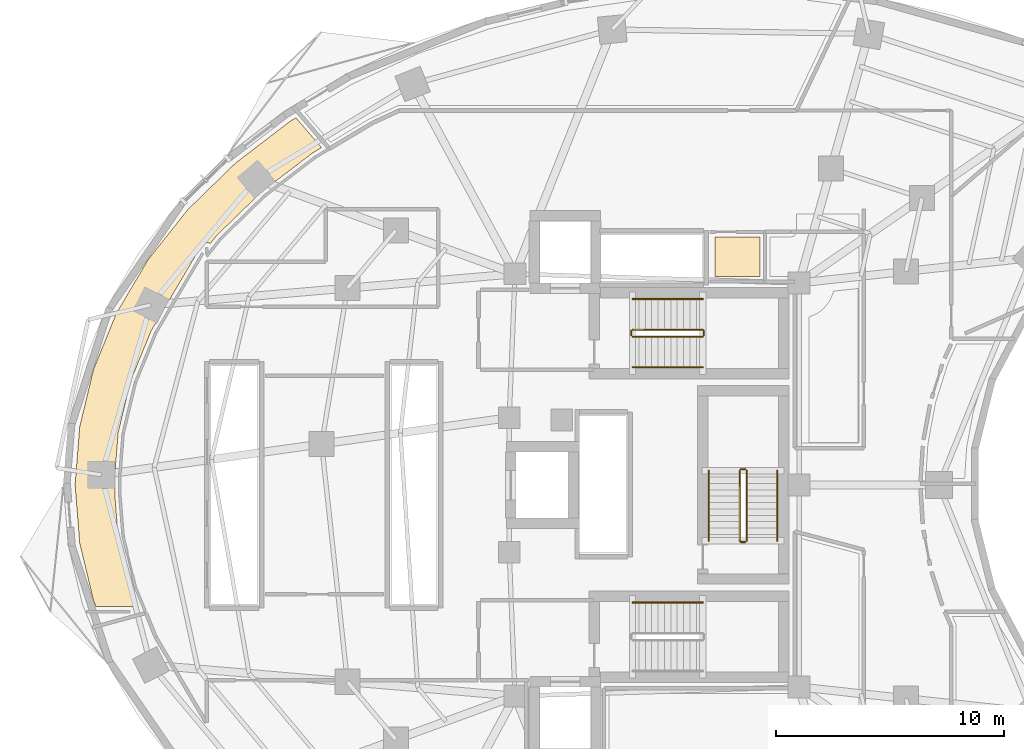
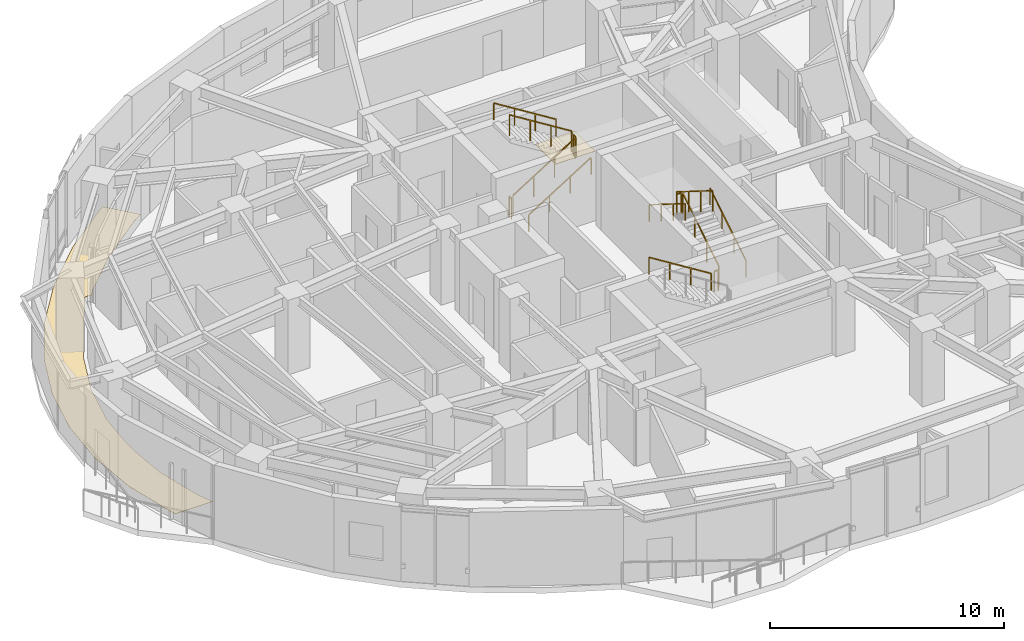
# One storey, part 12 of 13: 13 railings, 2 coverings.
"""IFC4 building model written with IfcOpenShell, lengths in metres."""

import ifcopenshell
import ifcopenshell.guid

model = None  # the IFC model being written
_history = None  # IfcOwnerHistory: only IFC2X3 demands one
_inside = {}  # id of a spatial element -> (the spatial element, [elements in it])
_under = {}  # id of a project, library or spatial element -> (it, [spatial elements below it])
_declared = {}  # id of a project -> (the project, [libraries it declares])
_typed = {}  # id of a type object -> (the type object, [elements of that type])
_made_of = {}  # id of a material, layer set ... -> (it, [elements and type objects made of it])


def new_model(schema):
    """Start an empty IFC model of exactly this schema.

    Asked for "IFC4X3", IfcOpenShell would pick the latest addendum, in which some entities
    have other attributes; the version numbers below select the first issue.
    IFC2X3 requires an IfcOwnerHistory on every rooted entity: one is made here for all.
    """
    global model, _history
    if schema == "IFC4X3":
        model = ifcopenshell.file(schema_version=(4, 3, 0, 0))
    else:
        model = ifcopenshell.file(schema=schema)
    _inside.clear()
    _under.clear()
    _declared.clear()
    _typed.clear()
    _made_of.clear()
    _history = None
    if model.schema == "IFC2X3":
        org = make("IfcOrganization", Name="unknown")
        user = make(
            "IfcPersonAndOrganization",
            ThePerson=make("IfcPerson", FamilyName="unknown"),
            TheOrganization=org,
        )
        app = make(
            "IfcApplication",
            ApplicationDeveloper=org,
            Version="unknown",
            ApplicationFullName="unknown",
            ApplicationIdentifier="unknown",
        )
        _history = make(
            "IfcOwnerHistory",
            OwningUser=user,
            OwningApplication=app,
            ChangeAction="ADDED",
            CreationDate=0,
        )
    return model


def make(cls, **values):
    """One entity of the class cls with the attributes given. An attribute that is None is left unset."""
    return model.create_entity(
        cls, **{name: value for name, value in values.items() if value is not None}
    )


def rooted(cls, **values):
    """An entity with a GlobalId (a new one), such as an element, a storey or a relation."""
    return make(cls, GlobalId=ifcopenshell.guid.new(), OwnerHistory=_history, **values)


def si_unit(unit_type, name, prefix=None):
    """IfcSIUnit, for example si_unit("LENGTHUNIT", "METRE", prefix="MILLI")."""
    return make("IfcSIUnit", UnitType=unit_type, Prefix=prefix, Name=name)


def assignment(units):
    """IfcUnitAssignment: the units of a project."""
    return None if units is None else make("IfcUnitAssignment", Units=units)


def point(xyz):
    """IfcCartesianPoint."""
    return None if xyz is None else make("IfcCartesianPoint", Coordinates=xyz)


def direction(xyz):
    """IfcDirection."""
    return None if xyz is None else make("IfcDirection", DirectionRatios=xyz)


def frame(location, z_axis=None, x_axis=None):
    """IfcAxis2Placement3D, a coordinate frame: its origin and axes. An axis left out is left unset."""
    return make(
        "IfcAxis2Placement3D",
        Location=point(location),
        Axis=direction(z_axis),
        RefDirection=direction(x_axis),
    )


def frame_2d(location, x_axis=None):
    """IfcAxis2Placement2D, a coordinate frame in the plane: its origin and x axis."""
    return make(
        "IfcAxis2Placement2D", Location=point(location), RefDirection=direction(x_axis)
    )


def origin():
    """The frame at (0, 0, 0) with its axes left unset."""
    return frame((0.0, 0.0, 0.0))


def origin_2d():
    """The frame at (0, 0) in the plane with its x axis left unset."""
    return frame_2d((0.0, 0.0))


def place(relative_to, where):
    """IfcLocalPlacement: puts the frame where relative to a parent placement (None: the world)."""
    return make(
        "IfcLocalPlacement", PlacementRelTo=relative_to, RelativePlacement=where
    )


def context(
    kind, dimensions, precision=None, world=None, true_north=None, identifier=None
):
    """IfcGeometricRepresentationContext, for example the 3D "Model" context."""
    return make(
        "IfcGeometricRepresentationContext",
        ContextIdentifier=identifier,
        ContextType=kind,
        CoordinateSpaceDimension=dimensions,
        Precision=precision,
        WorldCoordinateSystem=world,
        TrueNorth=true_north,
    )


def subcontext(parent, identifier, kind, view, scale=None):
    """IfcGeometricRepresentationSubContext, for example "Body" below "Model"."""
    return make(
        "IfcGeometricRepresentationSubContext",
        ContextIdentifier=identifier,
        ContextType=kind,
        ParentContext=parent,
        TargetScale=scale,
        TargetView=view,
    )


def project(units=None, contexts=None):
    """IfcProject with its units and contexts."""
    return rooted(
        "IfcProject",
        Name="project",
        RepresentationContexts=contexts,
        UnitsInContext=assignment(units),
    )


def spatial(cls, under=None, at=None, **own):
    """A site, building, storey or space (cls), placed at a placement, below another one or the project."""
    s = rooted(cls, ObjectPlacement=at, **own)
    if under is not None:
        _under.setdefault(under.id(), (under, []))[1].append(s)
    return s


def polyline(points):
    """IfcPolyline through the points."""
    return make("IfcPolyline", Points=[point(p) for p in points])


def profile(cls, at=None, kind="AREA", **sizes):
    """A parametric profile (cls). Its sizes go by their IFC names, for example OverallWidth=200.0."""
    return make(cls, ProfileType=kind, Position=at, **sizes)


def rectangle(**sizes):
    """IfcRectangleProfileDef."""
    return profile("IfcRectangleProfileDef", **sizes)


def outline(outer, holes=None, kind="AREA"):
    """IfcArbitraryClosedProfileDef: a profile drawn as a closed curve; with holes, ...WithVoids."""
    if holes is None:
        return make("IfcArbitraryClosedProfileDef", ProfileType=kind, OuterCurve=outer)
    return make(
        "IfcArbitraryProfileDefWithVoids",
        ProfileType=kind,
        OuterCurve=outer,
        InnerCurves=holes,
    )


def extrude(swept, where, along, depth):
    """IfcExtrudedAreaSolid: the profile swept, set in the frame where, extruded along a direction by depth."""
    return make(
        "IfcExtrudedAreaSolid",
        SweptArea=swept,
        Position=where,
        ExtrudedDirection=direction(along),
        Depth=depth,
    )


def shape(context_of_items, identifier, shape_type, items):
    """IfcShapeRepresentation: the items that make up one representation, for example the "Body"."""
    return make(
        "IfcShapeRepresentation",
        ContextOfItems=context_of_items,
        RepresentationIdentifier=identifier,
        RepresentationType=shape_type,
        Items=items,
    )


def material(Name=None, Category=None):
    """IfcMaterial."""
    return make("IfcMaterial", Name=Name, Category=Category)


def layer(
    of_material, thickness, ventilated=None, Name=None, Category=None, Priority=None
):
    """IfcMaterialLayer: one layer of a wall or slab, of a material (None: an air gap)."""
    return make(
        "IfcMaterialLayer",
        Material=of_material,
        LayerThickness=thickness,
        IsVentilated=ventilated,
        Name=Name,
        Category=Category,
        Priority=Priority,
    )


def layer_set(layers, Name=None):
    """IfcMaterialLayerSet."""
    return make("IfcMaterialLayerSet", MaterialLayers=layers, LayerSetName=Name)


def made_of(thing, what):
    """Note that an element or type object is made of a material, layer set ...; save() writes the relation."""
    if what is not None:
        _made_of.setdefault(what.id(), (what, []))[1].append(thing)
    return thing


def type_object(cls, material=None, **own):
    """A type object (cls), such as IfcWallType, which elements share."""
    return made_of(rooted(cls, **own), material)


def element(
    cls,
    number,
    at=None,
    inside=None,
    cuts=None,
    type_object=None,
    material=None,
    context=None,
    identifier="Body",
    shape_type=None,
    held_by="IfcProductDefinitionShape",
    body=None,
    shapes=None,
    **own,
):
    """One element of the class cls, such as IfcWall. Its Tag is "e" and its number.

    at: its placement. inside: the storey or other place that contains it. cuts: it is an
    opening in that element (IfcRelVoidsElement). A single representation is given by context,
    identifier, shape_type and body (its items); several are given by shapes. held_by: the class
    of the entity that holds the representations. save() writes the other relations.
    """
    e = rooted(cls, Tag="e%d" % number, ObjectPlacement=at, **own)
    if body is not None:
        shapes = [shape(context, identifier, shape_type, body)]
    if shapes is not None:
        e.Representation = make(held_by, Representations=shapes)
    if inside is not None:
        _inside.setdefault(inside.id(), (inside, []))[1].append(e)
    if cuts is not None:
        rooted(
            "IfcRelVoidsElement", RelatingBuildingElement=cuts, RelatedOpeningElement=e
        )
    if type_object is not None:
        _typed.setdefault(type_object.id(), (type_object, []))[1].append(e)
    return made_of(e, material)


def aggregate(whole, parts):
    """IfcRelAggregates: a whole, such as a stair, and the parts it consists of."""
    return rooted("IfcRelAggregates", RelatingObject=whole, RelatedObjects=parts)


def save(model, path):
    """Write the relations noted so far, then the file.

    IfcRelAggregates (storeys below a building ...), IfcRelContainedInSpatialStructure (elements
    in a storey), IfcRelDefinesByType, IfcRelAssociatesMaterial and IfcRelDeclares: one each for
    every whole, place, type object, material and project.
    """
    for whole, parts in _under.values():
        aggregate(whole, parts)
    for where, things in _inside.values():
        rooted(
            "IfcRelContainedInSpatialStructure",
            RelatedElements=things,
            RelatingStructure=where,
        )
    for kind, things in _typed.values():
        rooted("IfcRelDefinesByType", RelatedObjects=things, RelatingType=kind)
    for what, things in _made_of.values():
        rooted("IfcRelAssociatesMaterial", RelatedObjects=things, RelatingMaterial=what)
    for by, libraries in _declared.values():
        rooted("IfcRelDeclares", RelatingContext=by, RelatedDefinitions=libraries)
    model.write(path)


model = new_model("IFC4")

# Units and contexts
model_context = context("Model", 3, precision=1e-05, world=origin(), true_north=direction((0.0, 1.0)))
body_context = subcontext(model_context, "Body", "Model", "MODEL_VIEW")
ifc_project = project(units=[si_unit("LENGTHUNIT", "METRE"), si_unit("AREAUNIT", "SQUARE_METRE"), si_unit("VOLUMEUNIT", "CUBIC_METRE"), si_unit("PLANEANGLEUNIT", "RADIAN"), si_unit("MASSUNIT", "GRAM", prefix="KILO")], contexts=[model_context])

# Site, building, storey
site_placement = place(None, origin())
site = spatial("IfcSite", under=ifc_project, at=site_placement, CompositionType="ELEMENT")
building_placement = place(site_placement, origin())
building = spatial("IfcBuilding", under=site, at=building_placement, Name="Korentha Bioscience Tower", CompositionType="ELEMENT")
storey_placement = place(building_placement, frame((0.0, 0.0, 106.800048828125)))
storey = spatial("IfcBuildingStorey", under=building, at=storey_placement, Name="L24", CompositionType="ELEMENT", Elevation=106.800048828125)

# Covering
ifc_material_1 = material(Name="Vitrified Porcelain Tile", Category="ceramic")
ifc_layer_1 = layer(ifc_material_1, 0.014892578125, Name="Vitrified Porcelain Tile")
ifc_layer_set_1 = layer_set([ifc_layer_1], Name="Vitrified Porcelain Tile (FL-CER)")
covering_type_1 = type_object("IfcCoveringType", Name="Anti-Slip Ceramic Wet-Room Tile Flooring 15", PredefinedType="FLOORING", material=ifc_layer_set_1)
covering_1_placement = place(storey_placement, origin())
element("IfcCovering", 1, at=covering_1_placement, inside=storey, type_object=covering_type_1, Name="L24 Accessible Staff WC Floor Finish", PredefinedType="FLOORING", context=body_context, shape_type="SweptSolid", body=[
    extrude(outline(polyline([(33.8701171875, 36.1298828125), (33.8701171875, 37.8701171875), (35.830078125, 37.8701171875), (35.830078125, 36.1298828125), (33.8701171875, 36.1298828125)])), origin(), (0.0, 0.0, 1.0), 0.014892578125),
])

# Railings
ifc_material_2 = material(Name="Stainless Steel 304", Category="steel")
railing_type_1 = type_object("IfcRailingType", Name="Brushed Stainless Stair Handrail 900", PredefinedType="HANDRAIL", material=ifc_material_2)
railing_1_placement = place(storey_placement, frame((30.25, 32.14990234375, 0.175048828125)))
element("IfcRailing", 2, at=railing_1_placement, inside=storey, type_object=railing_type_1, Name="L24 ST-1 stair handrail 1", PredefinedType="HANDRAIL", context=body_context, shape_type="SweptSolid", body=[
    extrude(rectangle(XDim=0.048095703125, YDim=0.048095703125, at=origin_2d()), frame((0.0, 0.0, 0.8759765625), z_axis=(0.848028513186, 0.0, 0.529950602248), x_axis=(0.0, 1.0, 0.0)), (0.0, 0.0, 1.0), 3.632080078125),
    extrude(rectangle(XDim=0.0419921875, YDim=0.0419921875, at=origin_2d()), origin(), (0.0, 0.0, 1.0), 0.851806640625),
    extrude(rectangle(XDim=0.0419921875, YDim=0.0419921875, at=origin_2d()), frame((1.026611328125, 0.0, 0.6416015625)), (0.0, 0.0, 1.0), 0.851806640625),
    extrude(rectangle(XDim=0.0419921875, YDim=0.0419921875, at=origin_2d()), frame((2.053466796875, 0.0, 1.283203125)), (0.0, 0.0, 1.0), 0.851806640625),
    extrude(rectangle(XDim=0.0419921875, YDim=0.0419921875, at=origin_2d()), frame((3.080078125, 0.0, 1.9248046875)), (0.0, 0.0, 1.0), 0.851806640625),
])
for number, where, name in (
    (3, (33.330078125, 35.14990234375, 2.27490234375), "L24 ST-1 stair handrail 2"),
    (4, (33.330078125, 21.85009765625, 2.27490234375), "L24 ST-2 stair handrail 2"),
):
    element("IfcRailing", number, at=place(storey_placement, frame(where)), inside=storey, type_object=railing_type_1, Name=name, PredefinedType="HANDRAIL", context=body_context, shape_type="SweptSolid", body=[
        extrude(rectangle(XDim=0.048095703125, YDim=0.048095703125, at=origin_2d()), frame((0.0, 0.0, 0.8759765625), z_axis=(-0.847998304005, 0.0, 0.529998940003), x_axis=(0.0, -1.0, 0.0)), (0.0, 0.0, 1.0), 3.632080078125),
        extrude(rectangle(XDim=0.0419921875, YDim=0.0419921875, at=origin_2d()), origin(), (0.0, 0.0, 1.0), 0.851806640625),
        extrude(rectangle(XDim=0.0419921875, YDim=0.0419921875, at=origin_2d()), frame((-1.026611328125, 0.0, 0.6416015625)), (0.0, 0.0, 1.0), 0.851806640625),
        extrude(rectangle(XDim=0.0419921875, YDim=0.0419921875, at=origin_2d()), frame((-2.053466796875, 0.0, 1.283447265625)), (0.0, 0.0, 1.0), 0.851806640625),
        extrude(rectangle(XDim=0.0419921875, YDim=0.0419921875, at=origin_2d()), frame((-3.080078125, 0.0, 1.925048828125)), (0.0, 0.0, 1.0), 0.851806640625),
    ])
railing_2_placement = place(storey_placement, frame((36.60009765625, 24.550048828125, 0.175048828125)))
element("IfcRailing", 5, at=railing_2_placement, inside=storey, type_object=railing_type_1, Name="L24 ST-3 stair handrail 1", PredefinedType="HANDRAIL", context=body_context, shape_type="SweptSolid", body=[
    extrude(rectangle(XDim=0.048095703125, YDim=0.048095703125, at=origin_2d()), frame((0.0, 0.0, 0.8759765625), z_axis=(0.0, 0.848009633417, 0.529980812513), x_axis=(-1.0, 0.0, 0.0)), (0.0, 0.0, 1.0), 3.6318359375),
    extrude(rectangle(XDim=0.0419921875, YDim=0.0419921875, at=origin_2d()), origin(), (0.0, 0.0, 1.0), 0.851806640625),
    extrude(rectangle(XDim=0.0419921875, YDim=0.0419921875, at=origin_2d()), frame((0.0, 1.026611328125, 0.6416015625)), (0.0, 0.0, 1.0), 0.851806640625),
    extrude(rectangle(XDim=0.0419921875, YDim=0.0419921875, at=origin_2d()), frame((0.0, 2.05322265625, 1.283203125)), (0.0, 0.0, 1.0), 0.851806640625),
    extrude(rectangle(XDim=0.0419921875, YDim=0.0419921875, at=origin_2d()), frame((0.0, 3.079833984375, 1.9248046875)), (0.0, 0.0, 1.0), 0.851806640625),
])
railing_3_placement = place(storey_placement, frame((33.60009765625, 27.6298828125, 2.27490234375)))
element("IfcRailing", 6, at=railing_3_placement, inside=storey, type_object=railing_type_1, Name="L24 ST-3 stair handrail 2", PredefinedType="HANDRAIL", context=body_context, shape_type="SweptSolid", body=[
    extrude(rectangle(XDim=0.048095703125, YDim=0.048095703125, at=origin_2d()), frame((0.0, 0.0, 0.8759765625), z_axis=(0.0, -0.847979421464, 0.530029150871), x_axis=(1.0, 0.0, 0.0)), (0.0, 0.0, 1.0), 3.632080078125),
    extrude(rectangle(XDim=0.0419921875, YDim=0.0419921875, at=origin_2d()), origin(), (0.0, 0.0, 1.0), 0.851806640625),
    extrude(rectangle(XDim=0.0419921875, YDim=0.0419921875, at=origin_2d()), frame((0.0, -1.026611328125, 0.6416015625)), (0.0, 0.0, 1.0), 0.851806640625),
    extrude(rectangle(XDim=0.0419921875, YDim=0.0419921875, at=origin_2d()), frame((0.0, -2.05322265625, 1.283447265625)), (0.0, 0.0, 1.0), 0.851806640625),
    extrude(rectangle(XDim=0.0419921875, YDim=0.0419921875, at=origin_2d()), frame((0.0, -3.079833984375, 1.925048828125)), (0.0, 0.0, 1.0), 0.851806640625),
])
ifc_material_3 = material(Name="Painted Steel S275", Category="steel")
railing_type_2 = type_object("IfcRailingType", Name="Painted Steel Stair Well Guardrail 1100", PredefinedType="GUARDRAIL", material=ifc_material_3)
railing_4_placement = place(storey_placement, frame((30.25, 33.5, 0.175048828125)))
element("IfcRailing", 7, at=railing_4_placement, inside=storey, type_object=railing_type_2, Name="L24 ST-1 stair guard 1", PredefinedType="GUARDRAIL", context=body_context, shape_type="SweptSolid", body=[
    extrude(rectangle(XDim=0.048095703125, YDim=0.048095703125, at=origin_2d()), frame((0.0, 0.0, 1.076171875), z_axis=(0.848028513186, 0.0, 0.529950602248), x_axis=(0.0, 1.0, 0.0)), (0.0, 0.0, 1.0), 3.632080078125),
    extrude(rectangle(XDim=0.0419921875, YDim=0.0419921875, at=origin_2d()), origin(), (0.0, 0.0, 1.0), 1.052001953125),
    extrude(rectangle(XDim=0.0419921875, YDim=0.0419921875, at=origin_2d()), frame((1.026611328125, 0.0, 0.6416015625)), (0.0, 0.0, 1.0), 1.052001953125),
    extrude(rectangle(XDim=0.0419921875, YDim=0.0419921875, at=origin_2d()), frame((2.053466796875, 0.0, 1.283203125)), (0.0, 0.0, 1.0), 1.052001953125),
    extrude(rectangle(XDim=0.0419921875, YDim=0.0419921875, at=origin_2d()), frame((3.080078125, 0.0, 1.9248046875)), (0.0, 0.0, 1.0), 1.052001953125),
])
railing_5_placement = place(storey_placement, frame((33.3798828125, 33.550048828125, 2.099853515625)))
element("IfcRailing", 8, at=railing_5_placement, inside=storey, type_object=railing_type_2, Name="L24 ST-1 stair guard 2", PredefinedType="GUARDRAIL", context=body_context, shape_type="SweptSolid", body=[
    extrude(rectangle(XDim=0.048095703125, YDim=0.048095703125, at=origin_2d()), frame((0.0, 0.0, 1.076171875), z_axis=(0.0, 1.0, 0.0), x_axis=(-1.0, 0.0, 0.0)), (0.0, 0.0, 1.0), 0.199951171875),
    extrude(rectangle(XDim=0.0419921875, YDim=0.0419921875, at=origin_2d()), origin(), (0.0, 0.0, 1.0), 1.052001953125),
    extrude(rectangle(XDim=0.0419921875, YDim=0.0419921875, at=origin_2d()), frame((0.0, 0.199951171875, 0.0)), (0.0, 0.0, 1.0), 1.052001953125),
])
railing_6_placement = place(storey_placement, frame((33.330078125, 33.800048828125, 2.27490234375)))
element("IfcRailing", 9, at=railing_6_placement, inside=storey, type_object=railing_type_2, Name="L24 ST-1 stair guard 3", PredefinedType="GUARDRAIL", context=body_context, shape_type="SweptSolid", body=[
    extrude(rectangle(XDim=0.048095703125, YDim=0.048095703125, at=origin_2d()), frame((0.0, 0.0, 1.076171875), z_axis=(-0.847998304005, 0.0, 0.529998940003), x_axis=(0.0, -1.0, 0.0)), (0.0, 0.0, 1.0), 3.632080078125),
    extrude(rectangle(XDim=0.0419921875, YDim=0.0419921875, at=origin_2d()), origin(), (0.0, 0.0, 1.0), 1.052001953125),
    extrude(rectangle(XDim=0.0419921875, YDim=0.0419921875, at=origin_2d()), frame((-1.026611328125, 0.0, 0.6416015625)), (0.0, 0.0, 1.0), 1.052001953125),
    extrude(rectangle(XDim=0.0419921875, YDim=0.0419921875, at=origin_2d()), frame((-2.053466796875, 0.0, 1.283447265625)), (0.0, 0.0, 1.0), 1.052001953125),
    extrude(rectangle(XDim=0.0419921875, YDim=0.0419921875, at=origin_2d()), frame((-3.080078125, 0.0, 1.925048828125)), (0.0, 0.0, 1.0), 1.052001953125),
])
railing_7_placement = place(storey_placement, frame((30.199951171875, 33.550048828125, 0.0)))
element("IfcRailing", 10, at=railing_7_placement, inside=storey, type_object=railing_type_2, Name="L24 ST-1 stair guard 4", PredefinedType="GUARDRAIL", context=body_context, shape_type="SweptSolid", body=[
    extrude(rectangle(XDim=0.048095703125, YDim=0.048095703125, at=origin_2d()), frame((0.0, 0.0, 1.076171875), z_axis=(0.0, 1.0, 0.0), x_axis=(-1.0, 0.0, 0.0)), (0.0, 0.0, 1.0), 0.199951171875),
    extrude(rectangle(XDim=0.0419921875, YDim=0.0419921875, at=origin_2d()), origin(), (0.0, 0.0, 1.0), 1.052001953125),
    extrude(rectangle(XDim=0.0419921875, YDim=0.0419921875, at=origin_2d()), frame((0.0, 0.199951171875, 0.0)), (0.0, 0.0, 1.0), 1.052001953125),
])
railing_8_placement = place(storey_placement, frame((35.25, 24.550048828125, 0.175048828125)))
element("IfcRailing", 11, at=railing_8_placement, inside=storey, type_object=railing_type_2, Name="L24 ST-3 stair guard 1", PredefinedType="GUARDRAIL", context=body_context, shape_type="SweptSolid", body=[
    extrude(rectangle(XDim=0.048095703125, YDim=0.048095703125, at=origin_2d()), frame((0.0, 0.0, 1.076171875), z_axis=(0.0, 0.848009633417, 0.529980812513), x_axis=(-1.0, 0.0, 0.0)), (0.0, 0.0, 1.0), 3.6318359375),
    extrude(rectangle(XDim=0.0419921875, YDim=0.0419921875, at=origin_2d()), origin(), (0.0, 0.0, 1.0), 1.052001953125),
    extrude(rectangle(XDim=0.0419921875, YDim=0.0419921875, at=origin_2d()), frame((0.0, 1.026611328125, 0.6416015625)), (0.0, 0.0, 1.0), 1.052001953125),
    extrude(rectangle(XDim=0.0419921875, YDim=0.0419921875, at=origin_2d()), frame((0.0, 2.05322265625, 1.283203125)), (0.0, 0.0, 1.0), 1.052001953125),
    extrude(rectangle(XDim=0.0419921875, YDim=0.0419921875, at=origin_2d()), frame((0.0, 3.079833984375, 1.9248046875)), (0.0, 0.0, 1.0), 1.052001953125),
])
railing_9_placement = place(storey_placement, frame((35.199951171875, 27.679931640625, 2.099853515625)))
element("IfcRailing", 12, at=railing_9_placement, inside=storey, type_object=railing_type_2, Name="L24 ST-3 stair guard 2", PredefinedType="GUARDRAIL", context=body_context, shape_type="SweptSolid", body=[
    extrude(rectangle(XDim=0.048095703125, YDim=0.048095703125, at=origin_2d()), frame((0.0, 0.0, 1.076171875), z_axis=(-1.0, 0.0, 0.0), x_axis=(0.0, -1.0, 0.0)), (0.0, 0.0, 1.0), 0.199951171875),
    extrude(rectangle(XDim=0.0419921875, YDim=0.0419921875, at=origin_2d()), origin(), (0.0, 0.0, 1.0), 1.052001953125),
    extrude(rectangle(XDim=0.0419921875, YDim=0.0419921875, at=origin_2d()), frame((-0.199951171875, 0.0, 0.0)), (0.0, 0.0, 1.0), 1.052001953125),
])
railing_10_placement = place(storey_placement, frame((34.949951171875, 27.6298828125, 2.27490234375)))
element("IfcRailing", 13, at=railing_10_placement, inside=storey, type_object=railing_type_2, Name="L24 ST-3 stair guard 3", PredefinedType="GUARDRAIL", context=body_context, shape_type="SweptSolid", body=[
    extrude(rectangle(XDim=0.048095703125, YDim=0.048095703125, at=origin_2d()), frame((0.0, 0.0, 1.076171875), z_axis=(0.0, -0.847979421464, 0.530029150871), x_axis=(1.0, 0.0, 0.0)), (0.0, 0.0, 1.0), 3.632080078125),
    extrude(rectangle(XDim=0.0419921875, YDim=0.0419921875, at=origin_2d()), origin(), (0.0, 0.0, 1.0), 1.052001953125),
    extrude(rectangle(XDim=0.0419921875, YDim=0.0419921875, at=origin_2d()), frame((0.0, -1.026611328125, 0.6416015625)), (0.0, 0.0, 1.0), 1.052001953125),
    extrude(rectangle(XDim=0.0419921875, YDim=0.0419921875, at=origin_2d()), frame((0.0, -2.05322265625, 1.283447265625)), (0.0, 0.0, 1.0), 1.052001953125),
    extrude(rectangle(XDim=0.0419921875, YDim=0.0419921875, at=origin_2d()), frame((0.0, -3.079833984375, 1.925048828125)), (0.0, 0.0, 1.0), 1.052001953125),
])
railing_11_placement = place(storey_placement, frame((35.199951171875, 24.5, 0.0)))
element("IfcRailing", 14, at=railing_11_placement, inside=storey, type_object=railing_type_2, Name="L24 ST-3 stair guard 4", PredefinedType="GUARDRAIL", context=body_context, shape_type="SweptSolid", body=[
    extrude(rectangle(XDim=0.048095703125, YDim=0.048095703125, at=origin_2d()), frame((0.0, 0.0, 1.076171875), z_axis=(-1.0, 0.0, 0.0), x_axis=(0.0, -1.0, 0.0)), (0.0, 0.0, 1.0), 0.199951171875),
    extrude(rectangle(XDim=0.0419921875, YDim=0.0419921875, at=origin_2d()), origin(), (0.0, 0.0, 1.0), 1.052001953125),
    extrude(rectangle(XDim=0.0419921875, YDim=0.0419921875, at=origin_2d()), frame((-0.199951171875, 0.0, 0.0)), (0.0, 0.0, 1.0), 1.052001953125),
])

# Covering
ifc_material_4 = material(Name="Chemical-Resistant Epoxy Resin", Category="polymer")
ifc_layer_2 = layer(ifc_material_4, 0.011962890625, Name="Chemical-Resistant Epoxy Resin")
ifc_layer_set_2 = layer_set([ifc_layer_2], Name="Chemical-Resistant Epoxy Resin (FL-EPX)")
covering_type_2 = type_object("IfcCoveringType", Name="Seamless Epoxy Laboratory Flooring 12", PredefinedType="FLOORING", material=ifc_layer_set_2)
covering_2_placement = place(storey_placement, origin())
element("IfcCovering", 15, at=covering_2_placement, inside=storey, type_object=covering_type_2, Name="L24 Postdoctoral Fellows' Quiet Study 10 Floor Finish", PredefinedType="FLOORING", context=body_context, shape_type="SweptSolid", body=[
    extrude(outline(polyline([(6.0283203125, 24.44775390625), (5.82568359375, 27.0), (6.028076171875, 29.55224609375), (6.63330078125, 32.070068359375), (7.63427734375, 34.518798828125), (9.017822265625, 36.86376953125), (10.766845703125, 39.0712890625), (12.85693359375, 41.108642578125), (15.259033203125, 42.944580078125), (15.502197265625, 43.090576171875), (16.625, 41.781494140625), (16.205322265625, 41.5283203125), (13.97119140625, 39.820068359375), (12.042236328125, 37.940673828125), (11.744873046875, 37.568115234375), (11.662109375, 37.622802734375), (11.57421875, 37.637939453125), (11.468994140625, 37.609375), (11.401123046875, 37.552490234375), (9.162109375, 33.76171875), (8.259521484375, 31.554443359375), (7.7119140625, 29.27587890625), (7.5703125, 27.492431640625), (7.5703125, 26.50830078125), (7.714599609375, 24.706298828125), (8.254150390625, 22.46142578125), (8.5751953125, 21.672119140625), (6.739013671875, 21.672119140625), (6.63330078125, 21.929931640625), (6.0283203125, 24.44775390625)])), origin(), (0.0, 0.0, 1.0), 0.011962890625),
])

save(model, "model.ifc")
